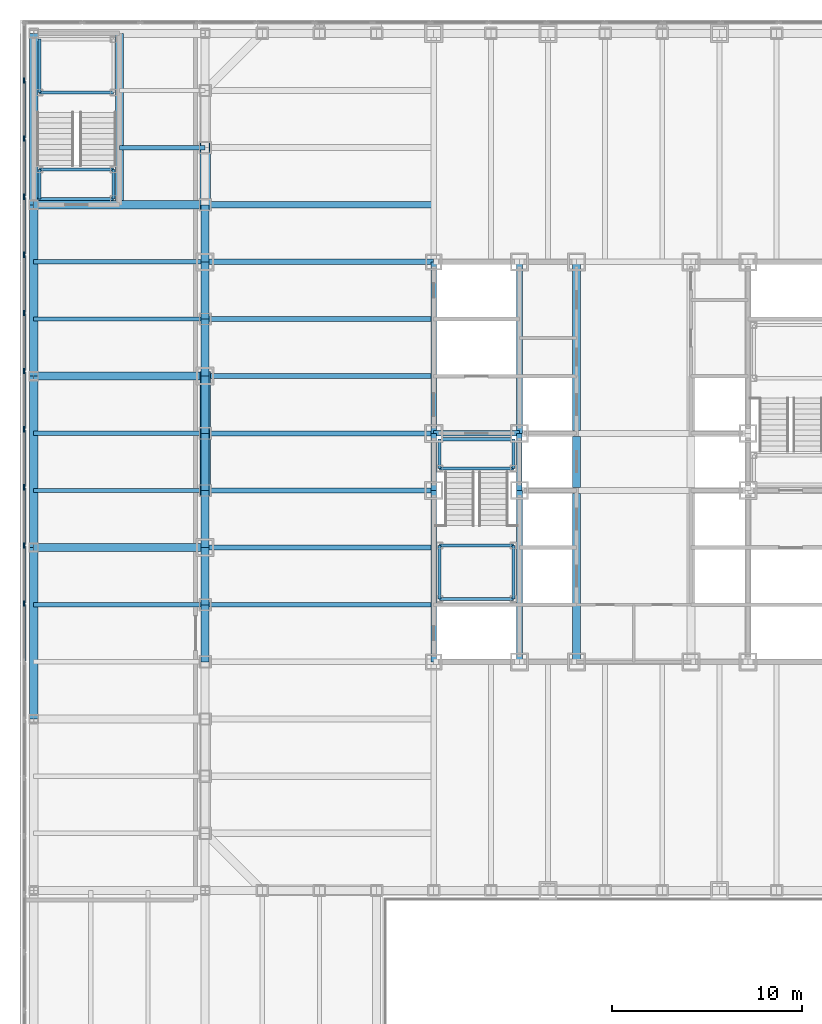
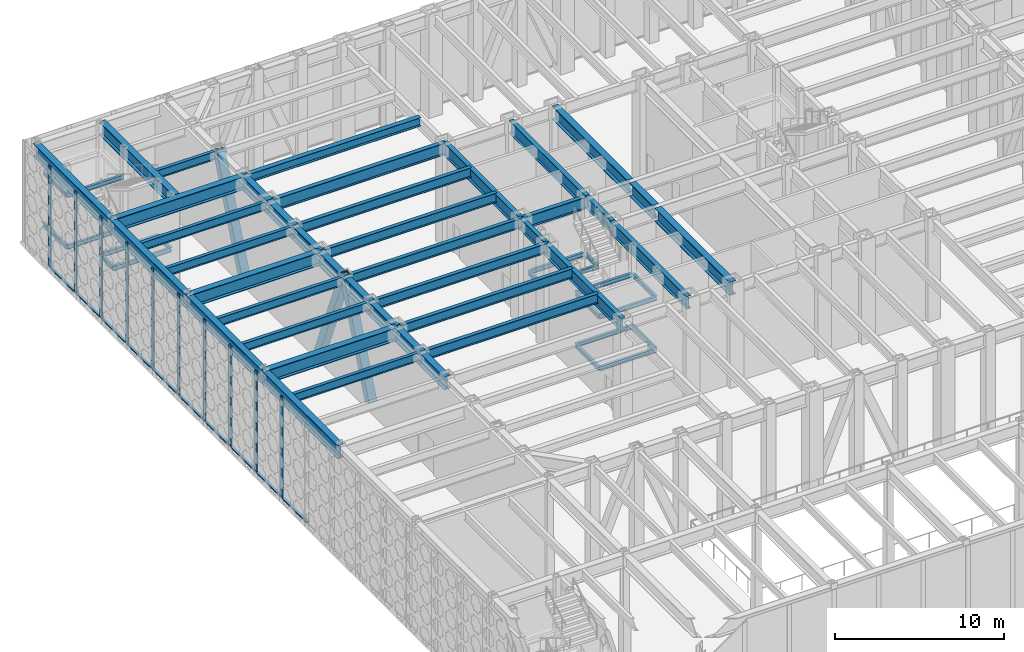
# One storey, part 6 of 34: 60 beams, 23 members, 1 element without a shape of its own.
"""IFC4 building model written with IfcOpenShell, lengths in metres."""

from ifc_helpers import new_model, si_unit, direction, frame, origin, origin_2d, place, context, subcontext, project, spatial, rectangle, hollow_rectangle, i_section, extrude, material, layer, layer_set, material_profile, profile_set, type_object, element, aggregate, save


model = new_model("IFC4")

# Units and contexts
model_context = context("Model", 3, precision=1e-05, world=origin(), true_north=direction((0.0, 1.0)))
body_context = subcontext(model_context, "Body", "Model", "MODEL_VIEW")
ifc_project = project(units=[si_unit("LENGTHUNIT", "METRE"), si_unit("AREAUNIT", "SQUARE_METRE"), si_unit("VOLUMEUNIT", "CUBIC_METRE"), si_unit("PLANEANGLEUNIT", "RADIAN"), si_unit("MASSUNIT", "GRAM", prefix="KILO")], contexts=[model_context])

# Site, building, storey
site_placement = place(None, origin())
site = spatial("IfcSite", under=ifc_project, at=site_placement, CompositionType="ELEMENT")
building_placement = place(site_placement, origin())
building = spatial("IfcBuilding", under=site, at=building_placement, Name="Chuquiago Exchange Tower", CompositionType="ELEMENT")
storey_placement = place(building_placement, frame((0.0, 0.0, 6.0)))
storey = spatial("IfcBuildingStorey", under=building, at=storey_placement, Name="L01", CompositionType="ELEMENT", Elevation=6.0)

# Beams
ifc_material_1 = material(Name="Steel ASTM A992", Category="steel")
ifc_material_profile_1 = material_profile(ifc_material_1, i_section(OverallWidth=0.307373046875, OverallDepth=0.927001953125, WebThickness=0.01953125, FlangeThickness=0.031982421875, at=origin_2d()), Name="W36X194")
ifc_profile_set_1 = profile_set([ifc_material_profile_1], Name="Steel ASTM A992")
beam_type_1 = type_object("IfcBeamType", Name="B10 W36X194", PredefinedType="BEAM", material=ifc_profile_set_1)
for number, where, z_axis, x_axis, name in (
    (1, (12.0, 12.0, 6.83642578125), (0.0, 1.0, 0.0), (-1.0, 0.0, 0.0), "CB-L02-12_12-12_21"),
    (2, (12.0, 24.0, 6.83642578125), (0.0, 1.0, 0.0), (-1.0, 0.0, 0.0), "CB-L02-12_24-12_33"),
    (3, (16.5, 12.0, 6.83642578125), (0.0, 1.0, 0.0), (-1.0, 0.0, 0.0), "CB-L02-16.5_12-16.5_21"),
    (4, (16.5, 24.0, 6.83642578125), (0.0, 1.0, 0.0), (-1.0, 0.0, 0.0), "CB-L02-16.5_24-16.5_33"),
):
    element("IfcBeam", number, at=place(storey_placement, frame(where, z_axis=z_axis, x_axis=x_axis)), inside=storey, type_object=beam_type_1, Name=name, PredefinedType="BEAM", context=body_context, shape_type="SweptSolid", body=[
        extrude(i_section(OverallWidth=0.307373046875, OverallDepth=0.927001953125, WebThickness=0.01953125, FlangeThickness=0.031982421875, at=origin_2d()), origin(), (0.0, 0.0, 1.0), 9.0),
    ])
ifc_material_2 = material(Name="Steel ASTM A992", Category="steel")
ifc_material_profile_2 = material_profile(ifc_material_2, i_section(OverallWidth=0.4267578125, OverallDepth=0.975341796875, WebThickness=0.031005859375, FlangeThickness=0.055908203125, at=origin_2d()), Name="W36X395")
ifc_profile_set_2 = profile_set([ifc_material_profile_2], Name="Steel ASTM A992")
beam_type_2 = type_object("IfcBeamType", Name="B12 W36X395", PredefinedType="BEAM", material=ifc_profile_set_2)
beam_1_placement = place(storey_placement, frame((19.5, 12.0, 6.812255859375), z_axis=(0.0, 1.0, 0.0), x_axis=(-1.0, 0.0, 0.0)))
element("IfcBeam", 5, at=beam_1_placement, inside=storey, type_object=beam_type_2, Name="CB-L02-19.5_12-19.5_20.8451", PredefinedType="BEAM", context=body_context, shape_type="SweptSolid", body=[
    extrude(i_section(OverallWidth=0.4267578125, OverallDepth=0.975341796875, WebThickness=0.031005859375, FlangeThickness=0.055908203125, at=origin_2d()), origin(), (0.0, 0.0, 1.0), 8.84521484375),
])
beam_2_placement = place(storey_placement, frame((19.5, 21.15478515625, 6.812255859375), z_axis=(0.0, 1.0, 0.0), x_axis=(-1.0, 0.0, 0.0)))
element("IfcBeam", 6, at=beam_2_placement, inside=storey, type_object=beam_type_2, Name="CB-L02-19.5_21.1549-19.5_23.8451", PredefinedType="BEAM", context=body_context, shape_type="SweptSolid", body=[
    extrude(i_section(OverallWidth=0.4267578125, OverallDepth=0.975341796875, WebThickness=0.031005859375, FlangeThickness=0.055908203125, at=origin_2d()), origin(), (0.0, 0.0, 1.0), 2.6904296875),
])
beam_3_placement = place(storey_placement, frame((19.5, 24.15478515625, 6.812255859375), z_axis=(0.0, 1.0, 0.0), x_axis=(-1.0, 0.0, 0.0)))
element("IfcBeam", 7, at=beam_3_placement, inside=storey, type_object=beam_type_2, Name="CB-L02-19.5_24.1549-19.5_33", PredefinedType="BEAM", context=body_context, shape_type="SweptSolid", body=[
    extrude(i_section(OverallWidth=0.4267578125, OverallDepth=0.975341796875, WebThickness=0.031005859375, FlangeThickness=0.055908203125, at=origin_2d()), origin(), (0.0, 0.0, 1.0), 8.84521484375),
])
ifc_material_3 = material(Name="Steel ASTM A992", Category="steel")
ifc_material_profile_3 = material_profile(ifc_material_3, i_section(OverallWidth=0.2919921875, OverallDepth=0.8583984375, WebThickness=0.01708984375, FlangeThickness=0.031005859375, at=origin_2d()), Name="W33X169")
ifc_profile_set_3 = profile_set([ifc_material_profile_3], Name="Steel ASTM A992")
beam_type_3 = type_object("IfcBeamType", Name="B3 W33X169", PredefinedType="BEAM", material=ifc_profile_set_3)
for number, where, z_axis, x_axis, name in (
    (8, (12.0, 21.0, 6.87060546875), (0.0, 1.0, 0.0), (-1.0, 0.0, 0.0), "CB-L02-12_21-12_24"),
    (9, (16.5, 21.0, 6.87060546875), (0.0, 1.0, 0.0), (-1.0, 0.0, 0.0), "CB-L02-16.5_21-16.5_24"),
):
    element("IfcBeam", number, at=place(storey_placement, frame(where, z_axis=z_axis, x_axis=x_axis)), inside=storey, type_object=beam_type_3, Name=name, PredefinedType="BEAM", context=body_context, shape_type="SweptSolid", body=[
        extrude(i_section(OverallWidth=0.2919921875, OverallDepth=0.8583984375, WebThickness=0.01708984375, FlangeThickness=0.031005859375, at=origin_2d()), origin(), (0.0, 0.0, 1.0), 3.0),
    ])
beam_4_placement = place(storey_placement, frame((12.0, 24.0, 6.87060546875), z_axis=(1.0, 0.0, 0.0), x_axis=(0.0, 1.0, 0.0)))
element("IfcBeam", 10, at=beam_4_placement, inside=storey, type_object=beam_type_3, Name="CB-L02-12_24-16.5_24", PredefinedType="BEAM", context=body_context, shape_type="SweptSolid", body=[
    extrude(i_section(OverallWidth=0.2919921875, OverallDepth=0.8583984375, WebThickness=0.01708984375, FlangeThickness=0.031005859375, at=origin_2d()), origin(), (0.0, 0.0, 1.0), 4.5),
])
ifc_material_4 = material(Name="Steel ASTM A992", Category="steel")
ifc_material_profile_4 = material_profile(ifc_material_4, i_section(OverallWidth=0.256591796875, OverallDepth=0.693359375, WebThickness=0.014404296875, FlangeThickness=0.023681640625, at=origin_2d()), Name="W27X114")
ifc_profile_set_4 = profile_set([ifc_material_profile_4], Name="Steel ASTM A992")
beam_type_4 = type_object("IfcBeamType", Name="B4 W27X114", PredefinedType="BEAM", material=ifc_profile_set_4)
for number, where, z_axis, x_axis, name in (
    (11, (12.0, 15.0, 6.953369140625), (-1.0, 0.0, 0.0), (0.0, -1.0, 0.0), "FB-L02-infill-12_15--0_15-0"),
    (12, (12.0, 18.0, 6.953369140625), (-1.0, 0.0, 0.0), (0.0, -1.0, 0.0), "FB-L02-infill-12_18--0_18-0"),
    (13, (12.0, 21.0, 6.953369140625), (-1.0, 0.0, 0.0), (0.0, -1.0, 0.0), "FB-L02-infill-12_21--0_21-0"),
    (14, (12.0, 24.0, 6.953369140625), (-1.0, 0.0, 0.0), (0.0, -1.0, 0.0), "FB-L02-infill-12_24--0_24-0"),
    (15, (12.0, 27.0, 6.953369140625), (-1.0, 0.0, 0.0), (0.0, -1.0, 0.0), "FB-L02-infill-12_27--0_27-0"),
    (16, (12.0, 30.0, 6.953369140625), (-1.0, 0.0, 0.0), (0.0, -1.0, 0.0), "FB-L02-infill-12_30--0_30-0"),
):
    element("IfcBeam", number, at=place(storey_placement, frame(where, z_axis=z_axis, x_axis=x_axis)), inside=storey, type_object=beam_type_4, Name=name, PredefinedType="BEAM", context=body_context, shape_type="SweptSolid", body=[
        extrude(i_section(OverallWidth=0.256591796875, OverallDepth=0.693359375, WebThickness=0.014404296875, FlangeThickness=0.023681640625, at=origin_2d()), origin(), (0.0, 0.0, 1.0), 12.0),
    ])
ifc_material_5 = material(Name="Steel ASTM A992", Category="steel")
ifc_material_profile_5 = material_profile(ifc_material_5, i_section(OverallWidth=0.3251953125, OverallDepth=0.6171875, WebThickness=0.013916015625, FlangeThickness=0.021484375, at=origin_2d()), Name="W24X117")
ifc_profile_set_5 = profile_set([ifc_material_profile_5], Name="Steel ASTM A992")
beam_type_5 = type_object("IfcBeamType", Name="B5 W24X117", PredefinedType="BEAM", material=ifc_profile_set_5)
beam_5_placement = place(storey_placement, frame((12.0, 36.0, 6.991455078125), z_axis=(-1.0, 0.0, 0.0), x_axis=(0.0, -1.0, 0.0)))
element("IfcBeam", 17, at=beam_5_placement, inside=storey, type_object=beam_type_5, Name="FB-L02-corner-12_36--0_36-0", PredefinedType="BEAM", context=body_context, shape_type="SweptSolid", body=[
    extrude(i_section(OverallWidth=0.3251953125, OverallDepth=0.6171875, WebThickness=0.013916015625, FlangeThickness=0.021484375, at=origin_2d()), origin(), (0.0, 0.0, 1.0), 12.0),
])

# Curtain wall, members
ifc_material_6 = material(Name="Aluminium curtain wall system", Category="aluminium")
ifc_layer = layer(ifc_material_6, 0.300048828125)
ifc_layer_set = layer_set([ifc_layer], Name="CW4 podium curtain wall")
curtain_wall_type = type_object("IfcCurtainWallType", Name="CW4 podium curtain wall", PredefinedType="NOTDEFINED", material=ifc_layer_set)
curtain_wall_placement = place(storey_placement, origin())
curtain_wall = element("IfcCurtainWall", 18, at=curtain_wall_placement, inside=storey, type_object=curtain_wall_type, Name="CW4 curtain wall L01", PredefinedType="NOTDEFINED")
ifc_material_7 = material(Name="Aluminium mullion, pale anodised", Category="aluminium")
ifc_material_profile_6 = material_profile(ifc_material_7, rectangle(XDim=0.074951171875, YDim=0.300048828125, at=origin_2d()), Name="AL 75x300")
ifc_profile_set_6 = profile_set([ifc_material_profile_6], Name="Aluminium mullion, pale anodised")
member_type_1 = type_object("IfcMemberType", Name="CW4-M mullion 75x300", PredefinedType="MULLION", material=ifc_profile_set_6)
member_1_placement = place(storey_placement, frame((-9.5, 42.52392578125, 0.0), z_axis=(0.0, 0.0, 1.0), x_axis=(1.0, 0.0, 0.0)))
member_1 = element("IfcMember", 19, at=member_1_placement, type_object=member_type_1, Name="CW4 mullion 2", PredefinedType="MULLION", context=body_context, shape_type="SweptSolid", body=[
    extrude(rectangle(XDim=0.074951171875, YDim=0.300048828125, at=origin_2d()), origin(), (0.0, 0.0, 1.0), 7.300048828125),
])
member_2_placement = place(storey_placement, frame((-9.5, 39.47265625, 0.0), z_axis=(0.0, 0.0, 1.0), x_axis=(1.0, 0.0, 0.0)))
member_2 = element("IfcMember", 20, at=member_2_placement, type_object=member_type_1, Name="CW4 mullion 3", PredefinedType="MULLION", context=body_context, shape_type="SweptSolid", body=[
    extrude(rectangle(XDim=0.074951171875, YDim=0.300048828125, at=origin_2d()), origin(), (0.0, 0.0, 1.0), 7.300048828125),
])
member_3_placement = place(storey_placement, frame((-9.5, 36.42138671875, 0.0), z_axis=(0.0, 0.0, 1.0), x_axis=(1.0, 0.0, 0.0)))
member_3 = element("IfcMember", 21, at=member_3_placement, type_object=member_type_1, Name="CW4 mullion 4", PredefinedType="MULLION", context=body_context, shape_type="SweptSolid", body=[
    extrude(rectangle(XDim=0.074951171875, YDim=0.300048828125, at=origin_2d()), origin(), (0.0, 0.0, 1.0), 7.300048828125),
])
member_4_placement = place(storey_placement, frame((-9.5, 33.3701171875, 0.0), z_axis=(0.0, 0.0, 1.0), x_axis=(1.0, 0.0, 0.0)))
member_4 = element("IfcMember", 22, at=member_4_placement, type_object=member_type_1, Name="CW4 mullion 5", PredefinedType="MULLION", context=body_context, shape_type="SweptSolid", body=[
    extrude(rectangle(XDim=0.074951171875, YDim=0.300048828125, at=origin_2d()), origin(), (0.0, 0.0, 1.0), 7.300048828125),
])
member_5_placement = place(storey_placement, frame((-9.5, 30.319091796875, 0.0), z_axis=(0.0, 0.0, 1.0), x_axis=(1.0, 0.0, 0.0)))
member_5 = element("IfcMember", 23, at=member_5_placement, type_object=member_type_1, Name="CW4 mullion 6", PredefinedType="MULLION", context=body_context, shape_type="SweptSolid", body=[
    extrude(rectangle(XDim=0.074951171875, YDim=0.300048828125, at=origin_2d()), origin(), (0.0, 0.0, 1.0), 7.300048828125),
])
member_6_placement = place(storey_placement, frame((-9.5, 27.267822265625, 0.0), z_axis=(0.0, 0.0, 1.0), x_axis=(1.0, 0.0, 0.0)))
member_6 = element("IfcMember", 24, at=member_6_placement, type_object=member_type_1, Name="CW4 mullion 7", PredefinedType="MULLION", context=body_context, shape_type="SweptSolid", body=[
    extrude(rectangle(XDim=0.074951171875, YDim=0.300048828125, at=origin_2d()), origin(), (0.0, 0.0, 1.0), 7.300048828125),
])
member_7_placement = place(storey_placement, frame((-9.5, 24.216552734375, 0.0), z_axis=(0.0, 0.0, 1.0), x_axis=(1.0, 0.0, 0.0)))
member_7 = element("IfcMember", 25, at=member_7_placement, type_object=member_type_1, Name="CW4 mullion 8", PredefinedType="MULLION", context=body_context, shape_type="SweptSolid", body=[
    extrude(rectangle(XDim=0.074951171875, YDim=0.300048828125, at=origin_2d()), origin(), (0.0, 0.0, 1.0), 7.300048828125),
])
member_8_placement = place(storey_placement, frame((-9.5, 21.16552734375, 0.0), z_axis=(0.0, 0.0, 1.0), x_axis=(1.0, 0.0, 0.0)))
member_8 = element("IfcMember", 26, at=member_8_placement, type_object=member_type_1, Name="CW4 mullion 9", PredefinedType="MULLION", context=body_context, shape_type="SweptSolid", body=[
    extrude(rectangle(XDim=0.074951171875, YDim=0.300048828125, at=origin_2d()), origin(), (0.0, 0.0, 1.0), 7.300048828125),
])
member_9_placement = place(storey_placement, frame((-9.5, 18.1142578125, 0.0), z_axis=(0.0, 0.0, 1.0), x_axis=(1.0, 0.0, 0.0)))
member_9 = element("IfcMember", 27, at=member_9_placement, type_object=member_type_1, Name="CW4 mullion 10", PredefinedType="MULLION", context=body_context, shape_type="SweptSolid", body=[
    extrude(rectangle(XDim=0.074951171875, YDim=0.300048828125, at=origin_2d()), origin(), (0.0, 0.0, 1.0), 7.300048828125),
])
member_10_placement = place(storey_placement, frame((-9.5, 15.06298828125, 0.0), z_axis=(0.0, 0.0, 1.0), x_axis=(1.0, 0.0, 0.0)))
member_10 = element("IfcMember", 28, at=member_10_placement, type_object=member_type_1, Name="CW4 mullion 11", PredefinedType="MULLION", context=body_context, shape_type="SweptSolid", body=[
    extrude(rectangle(XDim=0.074951171875, YDim=0.300048828125, at=origin_2d()), origin(), (0.0, 0.0, 1.0), 7.300048828125),
])
ifc_material_8 = material(Name="Aluminium transom, pale anodised", Category="aluminium")
ifc_material_profile_7 = material_profile(ifc_material_8, rectangle(XDim=0.179931640625, YDim=0.074951171875, at=origin_2d()), Name="AL 180x75")
ifc_profile_set_7 = profile_set([ifc_material_profile_7], Name="Aluminium transom, pale anodised")
member_type_2 = type_object("IfcMemberType", Name="CW4-T transom 75x180", PredefinedType="MULLION", material=ifc_profile_set_7)
member_11_placement = place(storey_placement, frame((-9.5, 42.486328125, 0.03759765625), z_axis=(0.0, -1.0, 0.0), x_axis=(1.0, 0.0, 0.0)))
member_11 = element("IfcMember", 29, at=member_11_placement, type_object=member_type_2, Name="CW4 transom 2.1", PredefinedType="MULLION", context=body_context, shape_type="SweptSolid", body=[
    extrude(rectangle(XDim=0.179931640625, YDim=0.074951171875, at=origin_2d()), origin(), (0.0, 0.0, 1.0), 2.976318359375),
])
member_12_placement = place(storey_placement, frame((-9.5, 39.43505859375, 0.03759765625), z_axis=(0.0, -1.0, 0.0), x_axis=(1.0, 0.0, 0.0)))
member_12 = element("IfcMember", 30, at=member_12_placement, type_object=member_type_2, Name="CW4 transom 3.1", PredefinedType="MULLION", context=body_context, shape_type="SweptSolid", body=[
    extrude(rectangle(XDim=0.179931640625, YDim=0.074951171875, at=origin_2d()), origin(), (0.0, 0.0, 1.0), 2.97607421875),
])
member_13_placement = place(storey_placement, frame((-9.5, 36.384033203125, 0.03759765625), z_axis=(0.0, -1.0, 0.0), x_axis=(1.0, 0.0, 0.0)))
member_13 = element("IfcMember", 31, at=member_13_placement, type_object=member_type_2, Name="CW4 transom 4.1", PredefinedType="MULLION", context=body_context, shape_type="SweptSolid", body=[
    extrude(rectangle(XDim=0.179931640625, YDim=0.074951171875, at=origin_2d()), origin(), (0.0, 0.0, 1.0), 2.976318359375),
])
member_14_placement = place(storey_placement, frame((-9.5, 33.332763671875, 0.03759765625), z_axis=(0.0, -1.0, 0.0), x_axis=(1.0, 0.0, 0.0)))
member_14 = element("IfcMember", 32, at=member_14_placement, type_object=member_type_2, Name="CW4 transom 5.1", PredefinedType="MULLION", context=body_context, shape_type="SweptSolid", body=[
    extrude(rectangle(XDim=0.179931640625, YDim=0.074951171875, at=origin_2d()), origin(), (0.0, 0.0, 1.0), 2.976318359375),
])
member_15_placement = place(storey_placement, frame((-9.5, 30.281494140625, 0.03759765625), z_axis=(0.0, -1.0, 0.0), x_axis=(1.0, 0.0, 0.0)))
member_15 = element("IfcMember", 33, at=member_15_placement, type_object=member_type_2, Name="CW4 transom 6.1", PredefinedType="MULLION", context=body_context, shape_type="SweptSolid", body=[
    extrude(rectangle(XDim=0.179931640625, YDim=0.074951171875, at=origin_2d()), origin(), (0.0, 0.0, 1.0), 2.97607421875),
])
member_16_placement = place(storey_placement, frame((-9.5, 27.23046875, 0.03759765625), z_axis=(0.0, -1.0, 0.0), x_axis=(1.0, 0.0, 0.0)))
member_16 = element("IfcMember", 34, at=member_16_placement, type_object=member_type_2, Name="CW4 transom 7.1", PredefinedType="MULLION", context=body_context, shape_type="SweptSolid", body=[
    extrude(rectangle(XDim=0.179931640625, YDim=0.074951171875, at=origin_2d()), origin(), (0.0, 0.0, 1.0), 2.976318359375),
])
member_17_placement = place(storey_placement, frame((-9.5, 24.17919921875, 0.03759765625), z_axis=(0.0, -1.0, 0.0), x_axis=(1.0, 0.0, 0.0)))
member_17 = element("IfcMember", 35, at=member_17_placement, type_object=member_type_2, Name="CW4 transom 8.1", PredefinedType="MULLION", context=body_context, shape_type="SweptSolid", body=[
    extrude(rectangle(XDim=0.179931640625, YDim=0.074951171875, at=origin_2d()), origin(), (0.0, 0.0, 1.0), 2.976318359375),
])
member_18_placement = place(storey_placement, frame((-9.5, 21.1279296875, 0.03759765625), z_axis=(0.0, -1.0, 0.0), x_axis=(1.0, 0.0, 0.0)))
member_18 = element("IfcMember", 36, at=member_18_placement, type_object=member_type_2, Name="CW4 transom 9.1", PredefinedType="MULLION", context=body_context, shape_type="SweptSolid", body=[
    extrude(rectangle(XDim=0.179931640625, YDim=0.074951171875, at=origin_2d()), origin(), (0.0, 0.0, 1.0), 2.97607421875),
])
member_19_placement = place(storey_placement, frame((-9.5, 18.076904296875, 0.03759765625), z_axis=(0.0, -1.0, 0.0), x_axis=(1.0, 0.0, 0.0)))
member_19 = element("IfcMember", 37, at=member_19_placement, type_object=member_type_2, Name="CW4 transom 10.1", PredefinedType="MULLION", context=body_context, shape_type="SweptSolid", body=[
    extrude(rectangle(XDim=0.179931640625, YDim=0.074951171875, at=origin_2d()), origin(), (0.0, 0.0, 1.0), 2.976318359375),
])
member_20_placement = place(storey_placement, frame((-9.5, 15.025634765625, 0.03759765625), z_axis=(0.0, -1.0, 0.0), x_axis=(1.0, 0.0, 0.0)))
member_20 = element("IfcMember", 38, at=member_20_placement, type_object=member_type_2, Name="CW4 transom 11.1", PredefinedType="MULLION", context=body_context, shape_type="SweptSolid", body=[
    extrude(rectangle(XDim=0.179931640625, YDim=0.074951171875, at=origin_2d()), origin(), (0.0, 0.0, 1.0), 2.976318359375),
])
aggregate(curtain_wall, [member_1, member_2, member_3, member_4, member_5, member_6, member_7, member_8, member_9, member_10, member_11, member_12, member_13, member_14, member_15, member_16, member_17, member_18, member_19, member_20])

# Beams
ifc_material_9 = material(Name="Steel ASTM A992", Category="steel")
ifc_material_profile_8 = material_profile(ifc_material_9, i_section(OverallWidth=0.2919921875, OverallDepth=0.8583984375, WebThickness=0.01708984375, FlangeThickness=0.031005859375, at=origin_2d()), Name="W33X169")
ifc_profile_set_8 = profile_set([ifc_material_profile_8], Name="Steel ASTM A992")
beam_type_6 = type_object("IfcBeamType", Name="G2 W33X169", PredefinedType="BEAM", material=ifc_profile_set_8)
beam_6_placement = place(storey_placement, frame((12.0, 33.0, 6.87060546875), z_axis=(-1.0, 0.0, 0.0), x_axis=(0.0, -1.0, 0.0)))
element("IfcBeam", 39, at=beam_6_placement, inside=storey, type_object=beam_type_6, Name="FB-L02-girder-12_33--0_33-0", PredefinedType="BEAM", context=body_context, shape_type="SweptSolid", body=[
    extrude(i_section(OverallWidth=0.2919921875, OverallDepth=0.8583984375, WebThickness=0.01708984375, FlangeThickness=0.031005859375, at=origin_2d()), origin(), (0.0, 0.0, 1.0), 12.0),
])
ifc_material_10 = material(Name="Steel ASTM A992", Category="steel")
ifc_material_profile_9 = material_profile(ifc_material_10, i_section(OverallWidth=0.164794921875, OverallDepth=0.309814453125, WebThickness=0.005859375, FlangeThickness=0.009765625, at=origin_2d()), Name="W12X26")
ifc_profile_set_9 = profile_set([ifc_material_profile_9], Name="Steel ASTM A992")
beam_type_7 = type_object("IfcBeamType", Name="LS1 W12X26", PredefinedType="BEAM", material=ifc_profile_set_9)
for number, where, z_axis, x_axis, name in (
    (40, (12.31005859375, 15.31005859375, 1.52001953125), (0.0, 1.0, 0.0), (-1.0, 0.0, 0.0), "Stair ST1 L01 landing 1 stringer"),
    (41, (16.18994140625, 15.31005859375, 1.52001953125), (0.0, 1.0, 0.0), (-1.0, 0.0, 0.0), "Stair ST1 L01 landing 1 stringer"),
):
    element("IfcBeam", number, at=place(storey_placement, frame(where, z_axis=z_axis, x_axis=x_axis)), inside=storey, type_object=beam_type_7, Name=name, PredefinedType="BEAM", context=body_context, shape_type="SweptSolid", body=[
        extrude(i_section(OverallWidth=0.164794921875, OverallDepth=0.309814453125, WebThickness=0.005859375, FlangeThickness=0.009765625, at=origin_2d()), origin(), (0.0, 0.0, 1.0), 2.800048828125),
    ])
for number, where, z_axis, x_axis, name in (
    (42, (12.31005859375, 22.14990234375, 3.39501953125), (0.0, 1.0, 0.0), (-1.0, 0.0, 0.0), "Stair ST1 L01 landing 2 stringer"),
    (43, (16.18994140625, 22.14990234375, 3.39501953125), (0.0, 1.0, 0.0), (-1.0, 0.0, 0.0), "Stair ST1 L01 landing 2 stringer"),
):
    element("IfcBeam", number, at=place(storey_placement, frame(where, z_axis=z_axis, x_axis=x_axis)), inside=storey, type_object=beam_type_7, Name=name, PredefinedType="BEAM", context=body_context, shape_type="SweptSolid", body=[
        extrude(i_section(OverallWidth=0.164794921875, OverallDepth=0.309814453125, WebThickness=0.005859375, FlangeThickness=0.009765625, at=origin_2d()), origin(), (0.0, 0.0, 1.0), 1.5400390625),
    ])
for number, where, z_axis, x_axis, name in (
    (44, (12.31005859375, 15.31005859375, 5.27001953125), (0.0, 1.0, 0.0), (-1.0, 0.0, 0.0), "Stair ST1 L01 landing 3 stringer"),
    (45, (16.18994140625, 15.31005859375, 5.27001953125), (0.0, 1.0, 0.0), (-1.0, 0.0, 0.0), "Stair ST1 L01 landing 3 stringer"),
    (46, (-8.68994140625, 41.889892578125, 1.52001953125), (0.0, 1.0, 0.0), (-1.0, 0.0, 0.0), "Stair PS3 L01 landing 1 stringer"),
):
    element("IfcBeam", number, at=place(storey_placement, frame(where, z_axis=z_axis, x_axis=x_axis)), inside=storey, type_object=beam_type_7, Name=name, PredefinedType="BEAM", context=body_context, shape_type="SweptSolid", body=[
        extrude(i_section(OverallWidth=0.164794921875, OverallDepth=0.309814453125, WebThickness=0.005859375, FlangeThickness=0.009765625, at=origin_2d()), origin(), (0.0, 0.0, 1.0), 2.800048828125),
    ])
for number, where, z_axis, x_axis, name in (
    (47, (-8.68994140625, 36.31005859375, 3.39501953125), (0.0, 1.0, 0.0), (-1.0, 0.0, 0.0), "Stair PS3 L01 landing 2 stringer"),
    (48, (-4.81005859375, 36.31005859375, 3.39501953125), (0.0, 1.0, 0.0), (-1.0, 0.0, 0.0), "Stair PS3 L01 landing 2 stringer"),
):
    element("IfcBeam", number, at=place(storey_placement, frame(where, z_axis=z_axis, x_axis=x_axis)), inside=storey, type_object=beam_type_7, Name=name, PredefinedType="BEAM", context=body_context, shape_type="SweptSolid", body=[
        extrude(i_section(OverallWidth=0.164794921875, OverallDepth=0.309814453125, WebThickness=0.005859375, FlangeThickness=0.009765625, at=origin_2d()), origin(), (0.0, 0.0, 1.0), 1.5400390625),
    ])
beam_7_placement = place(storey_placement, frame((-8.68994140625, 41.889892578125, 5.27001953125), z_axis=(0.0, 1.0, 0.0), x_axis=(-1.0, 0.0, 0.0)))
element("IfcBeam", 49, at=beam_7_placement, inside=storey, type_object=beam_type_7, Name="Stair PS3 L01 landing 3 stringer", PredefinedType="BEAM", context=body_context, shape_type="SweptSolid", body=[
    extrude(i_section(OverallWidth=0.164794921875, OverallDepth=0.309814453125, WebThickness=0.005859375, FlangeThickness=0.009765625, at=origin_2d()), origin(), (0.0, 0.0, 1.0), 2.800048828125),
])
ifc_material_11 = material(Name="Steel ASTM A992", Category="steel")
ifc_material_profile_10 = material_profile(ifc_material_11, i_section(OverallWidth=0.164794921875, OverallDepth=0.309814453125, WebThickness=0.005859375, FlangeThickness=0.009765625, at=origin_2d()), Name="W12X26")
ifc_profile_set_10 = profile_set([ifc_material_profile_10], Name="Steel ASTM A992")
beam_type_8 = type_object("IfcBeamType", Name="LT1 W12X26", PredefinedType="BEAM", material=ifc_profile_set_10)
for number, where, z_axis, x_axis, name in (
    (50, (12.31005859375, 15.31005859375, 1.52001953125), (1.0, 0.0, 0.0), (0.0, 1.0, 0.0), "Stair ST1 L01 landing 1 trimmer"),
    (51, (12.31005859375, 18.110107421875, 1.52001953125), (1.0, 0.0, 0.0), (0.0, 1.0, 0.0), "Stair ST1 L01 landing 1 trimmer"),
    (52, (12.31005859375, 22.14990234375, 3.39501953125), (1.0, 0.0, 0.0), (0.0, 1.0, 0.0), "Stair ST1 L01 landing 2 trimmer"),
):
    element("IfcBeam", number, at=place(storey_placement, frame(where, z_axis=z_axis, x_axis=x_axis)), inside=storey, type_object=beam_type_8, Name=name, PredefinedType="BEAM", context=body_context, shape_type="SweptSolid", body=[
        extrude(i_section(OverallWidth=0.164794921875, OverallDepth=0.309814453125, WebThickness=0.005859375, FlangeThickness=0.009765625, at=origin_2d()), origin(), (0.0, 0.0, 1.0), 3.8798828125),
    ])
beam_8_placement = place(storey_placement, frame((12.455078125, 23.68994140625, 3.39501953125), z_axis=(1.0, 0.0, 0.0), x_axis=(0.0, 1.0, 0.0)))
element("IfcBeam", 53, at=beam_8_placement, inside=storey, type_object=beam_type_8, Name="Stair ST1 L01 landing 2 trimmer", PredefinedType="BEAM", context=body_context, shape_type="SweptSolid", body=[
    extrude(i_section(OverallWidth=0.164794921875, OverallDepth=0.309814453125, WebThickness=0.005859375, FlangeThickness=0.009765625, at=origin_2d()), origin(), (0.0, 0.0, 1.0), 3.58984375),
])
for number, where, z_axis, x_axis, name in (
    (54, (12.31005859375, 15.31005859375, 5.27001953125), (1.0, 0.0, 0.0), (0.0, 1.0, 0.0), "Stair ST1 L01 landing 3 trimmer"),
    (55, (12.31005859375, 18.110107421875, 5.27001953125), (1.0, 0.0, 0.0), (0.0, 1.0, 0.0), "Stair ST1 L01 landing 3 trimmer"),
    (56, (-8.68994140625, 41.889892578125, 1.52001953125), (1.0, 0.0, 0.0), (0.0, 1.0, 0.0), "Stair PS3 L01 landing 1 trimmer"),
    (57, (-8.68994140625, 37.85009765625, 3.39501953125), (1.0, 0.0, 0.0), (0.0, 1.0, 0.0), "Stair PS3 L01 landing 2 trimmer"),
):
    element("IfcBeam", number, at=place(storey_placement, frame(where, z_axis=z_axis, x_axis=x_axis)), inside=storey, type_object=beam_type_8, Name=name, PredefinedType="BEAM", context=body_context, shape_type="SweptSolid", body=[
        extrude(i_section(OverallWidth=0.164794921875, OverallDepth=0.309814453125, WebThickness=0.005859375, FlangeThickness=0.009765625, at=origin_2d()), origin(), (0.0, 0.0, 1.0), 3.8798828125),
    ])
beam_9_placement = place(storey_placement, frame((-8.814208984375, 36.31005859375, 3.39501953125), z_axis=(1.0, 0.0, 0.0), x_axis=(0.0, 1.0, 0.0)))
element("IfcBeam", 58, at=beam_9_placement, inside=storey, type_object=beam_type_8, Name="Stair PS3 L01 landing 2 trimmer", PredefinedType="BEAM", context=body_context, shape_type="SweptSolid", body=[
    extrude(i_section(OverallWidth=0.164794921875, OverallDepth=0.309814453125, WebThickness=0.005859375, FlangeThickness=0.009765625, at=origin_2d()), origin(), (0.0, 0.0, 1.0), 4.004150390625),
])
beam_10_placement = place(storey_placement, frame((-8.68994140625, 41.889892578125, 5.27001953125), z_axis=(1.0, 0.0, 0.0), x_axis=(0.0, 1.0, 0.0)))
element("IfcBeam", 59, at=beam_10_placement, inside=storey, type_object=beam_type_8, Name="Stair PS3 L01 landing 3 trimmer", PredefinedType="BEAM", context=body_context, shape_type="SweptSolid", body=[
    extrude(i_section(OverallWidth=0.164794921875, OverallDepth=0.309814453125, WebThickness=0.005859375, FlangeThickness=0.009765625, at=origin_2d()), origin(), (0.0, 0.0, 1.0), 3.8798828125),
])

# Members
ifc_material_12 = material(Name="Steel ASTM A572 Grade 50", Category="steel")
ifc_material_profile_11 = material_profile(ifc_material_12, hollow_rectangle(XDim=0.550048828125, YDim=0.550048828125, WallThickness=0.044921875, at=origin_2d()), Name="BOX550X550X45")
ifc_profile_set_11 = profile_set([ifc_material_profile_11], Name="Steel ASTM A572 Grade 50")
member_type_3 = type_object("IfcMemberType", Name="MB1 BOX550X550X45", PredefinedType="BRACE", material=ifc_profile_set_11)
for number, where, z_axis, x_axis, name in (
    (60, (0.0, 36.0, 0.0), (0.0, 0.378334309689, 0.925669028385), (-1.0, 0.0, 0.0), "Mega diagonal L01 W face"),
    (61, (0.0, 27.0, 0.0), (0.0, -0.378334309689, 0.925669028385), (1.0, 0.0, 0.0), "Mega diagonal L01 W face"),
    (62, (0.0, 21.0, 0.0), (0.0, 0.378334309689, 0.925669028385), (-1.0, 0.0, 0.0), "Mega diagonal L01 W face"),
):
    element("IfcMember", number, at=place(storey_placement, frame(where, z_axis=z_axis, x_axis=x_axis)), inside=storey, type_object=member_type_3, Name=name, PredefinedType="BRACE", context=body_context, shape_type="SweptSolid", body=[
        extrude(hollow_rectangle(XDim=0.550048828125, YDim=0.550048828125, WallThickness=0.044921875, at=origin_2d()), origin(), (0.0, 0.0, 1.0), 7.929443359375),
    ])

# Beams
ifc_material_13 = material(Name="Steel ASTM A992", Category="steel")
ifc_material_profile_12 = material_profile(ifc_material_13, i_section(OverallWidth=0.227783203125, OverallDepth=0.60205078125, WebThickness=0.010498046875, FlangeThickness=0.014892578125, at=origin_2d()), Name="W24X68")
ifc_profile_set_12 = profile_set([ifc_material_profile_12], Name="Steel ASTM A992")
beam_type_9 = type_object("IfcBeamType", Name="PB1 W24X68", PredefinedType="BEAM", material=ifc_profile_set_12)
for number, where, z_axis, x_axis, name in (
    (63, (-9.0, 15.0, 6.9990234375), (1.0, 0.0, 0.0), (0.0, 1.0, 0.0), "PB-L02--9_15"),
    (64, (-9.0, 21.0, 6.9990234375), (1.0, 0.0, 0.0), (0.0, 1.0, 0.0), "PB-L02--9_21"),
    (65, (-9.0, 24.0, 6.9990234375), (1.0, 0.0, 0.0), (0.0, 1.0, 0.0), "PB-L02--9_24"),
    (66, (-9.0, 30.0, 6.9990234375), (1.0, 0.0, 0.0), (0.0, 1.0, 0.0), "PB-L02--9_30"),
    (67, (-9.0, 33.0, 6.9990234375), (1.0, 0.0, 0.0), (0.0, 1.0, 0.0), "PB-L02--9_33"),
):
    element("IfcBeam", number, at=place(storey_placement, frame(where, z_axis=z_axis, x_axis=x_axis)), inside=storey, type_object=beam_type_9, Name=name, PredefinedType="BEAM", context=body_context, shape_type="SweptSolid", body=[
        extrude(i_section(OverallWidth=0.227783203125, OverallDepth=0.60205078125, WebThickness=0.010498046875, FlangeThickness=0.014892578125, at=origin_2d()), origin(), (0.0, 0.0, 1.0), 9.0),
    ])
beam_11_placement = place(storey_placement, frame((-4.5, 39.0, 6.9990234375), z_axis=(1.0, 0.0, 0.0), x_axis=(0.0, 1.0, 0.0)))
element("IfcBeam", 68, at=beam_11_placement, inside=storey, type_object=beam_type_9, Name="PB-L02--4.5_39", PredefinedType="BEAM", context=body_context, shape_type="SweptSolid", body=[
    extrude(i_section(OverallWidth=0.227783203125, OverallDepth=0.60205078125, WebThickness=0.010498046875, FlangeThickness=0.014892578125, at=origin_2d()), origin(), (0.0, 0.0, 1.0), 4.5),
])
ifc_material_14 = material(Name="Steel ASTM A992", Category="steel")
ifc_material_profile_13 = material_profile(ifc_material_14, i_section(OverallWidth=0.424072265625, OverallDepth=0.947509765625, WebThickness=0.02392578125, FlangeThickness=0.042724609375, at=origin_2d()), Name="W36X302")
ifc_profile_set_13 = profile_set([ifc_material_profile_13], Name="Steel ASTM A992")
beam_type_10 = type_object("IfcBeamType", Name="PG1 W36X302", PredefinedType="BEAM", material=ifc_profile_set_13)
for number, where, z_axis, x_axis, name in (
    (69, (-9.0, 9.0, 6.826416015625), (0.0, 1.0, 0.0), (-1.0, 0.0, 0.0), "PG-L02--9_9--9_18"),
    (70, (-9.0, 18.0, 6.826416015625), (0.0, 1.0, 0.0), (-1.0, 0.0, 0.0), "PG-L02--9_18--9_27"),
    (71, (-9.0, 27.0, 6.826416015625), (0.0, 1.0, 0.0), (-1.0, 0.0, 0.0), "PG-L02--9_27--9_36"),
    (72, (-9.0, 36.0, 6.826416015625), (0.0, 1.0, 0.0), (-1.0, 0.0, 0.0), "PG-L02--9_36--9_45"),
    (73, (-9.0, 18.0, 6.826416015625), (1.0, 0.0, 0.0), (0.0, 1.0, 0.0), "PG-L02--9_18-0_18"),
    (74, (-9.0, 27.0, 6.826416015625), (1.0, 0.0, 0.0), (0.0, 1.0, 0.0), "PG-L02--9_27-0_27"),
    (75, (-9.0, 36.0, 6.826416015625), (1.0, 0.0, 0.0), (0.0, 1.0, 0.0), "PG-L02--9_36-0_36"),
    (76, (-4.5, 36.0, 6.826416015625), (0.0, 1.0, 0.0), (-1.0, 0.0, 0.0), "PT-L02-PS3"),
):
    element("IfcBeam", number, at=place(storey_placement, frame(where, z_axis=z_axis, x_axis=x_axis)), inside=storey, type_object=beam_type_10, Name=name, PredefinedType="BEAM", context=body_context, shape_type="SweptSolid", body=[
        extrude(i_section(OverallWidth=0.424072265625, OverallDepth=0.947509765625, WebThickness=0.02392578125, FlangeThickness=0.042724609375, at=origin_2d()), origin(), (0.0, 0.0, 1.0), 9.0),
    ])
ifc_material_15 = material(Name="Steel ASTM A992", Category="steel")
ifc_material_profile_14 = material_profile(ifc_material_15, i_section(OverallWidth=0.4267578125, OverallDepth=0.95751953125, WebThickness=0.028564453125, FlangeThickness=0.050048828125, at=origin_2d()), Name="W36X361")
ifc_profile_set_14 = profile_set([ifc_material_profile_14], Name="Steel ASTM A992")
beam_type_11 = type_object("IfcBeamType", Name="SP1 W36X361", PredefinedType="SPANDREL", material=ifc_profile_set_14)
for number, where, z_axis, x_axis, name in (
    (77, (0.0, 36.0, 6.8212890625), (0.0, -1.0, 0.0), (1.0, 0.0, 0.0), "SPB-L02-0_36-0_33"),
    (78, (0.0, 33.0, 6.8212890625), (0.0, -1.0, 0.0), (1.0, 0.0, 0.0), "SPB-L02-0_33-0_30"),
    (79, (0.0, 30.0, 6.8212890625), (0.0, -1.0, 0.0), (1.0, 0.0, 0.0), "SPB-L02-0_30-0_27"),
    (80, (0.0, 27.0, 6.8212890625), (0.0, -1.0, 0.0), (1.0, 0.0, 0.0), "SPB-L02-0_27-0_24"),
    (81, (0.0, 24.0, 6.8212890625), (0.0, -1.0, 0.0), (1.0, 0.0, 0.0), "SPB-L02-0_24-0_21"),
    (82, (0.0, 21.0, 6.8212890625), (0.0, -1.0, 0.0), (1.0, 0.0, 0.0), "SPB-L02-0_21-0_18"),
    (83, (0.0, 18.0, 6.8212890625), (0.0, -1.0, 0.0), (1.0, 0.0, 0.0), "SPB-L02-0_18-0_15"),
    (84, (0.0, 15.0, 6.8212890625), (0.0, -1.0, 0.0), (1.0, 0.0, 0.0), "SPB-L02-0_15-0_12"),
):
    element("IfcBeam", number, at=place(storey_placement, frame(where, z_axis=z_axis, x_axis=x_axis)), inside=storey, type_object=beam_type_11, Name=name, PredefinedType="SPANDREL", context=body_context, shape_type="SweptSolid", body=[
        extrude(i_section(OverallWidth=0.4267578125, OverallDepth=0.95751953125, WebThickness=0.028564453125, FlangeThickness=0.050048828125, at=origin_2d()), origin(), (0.0, 0.0, 1.0), 3.0),
    ])

save(model, "model.ifc")
